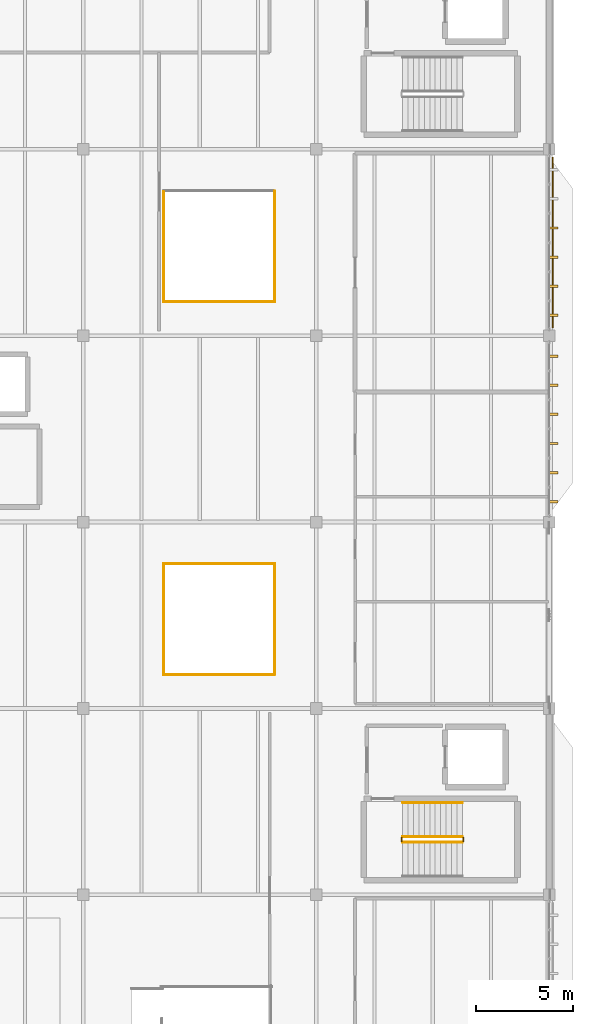
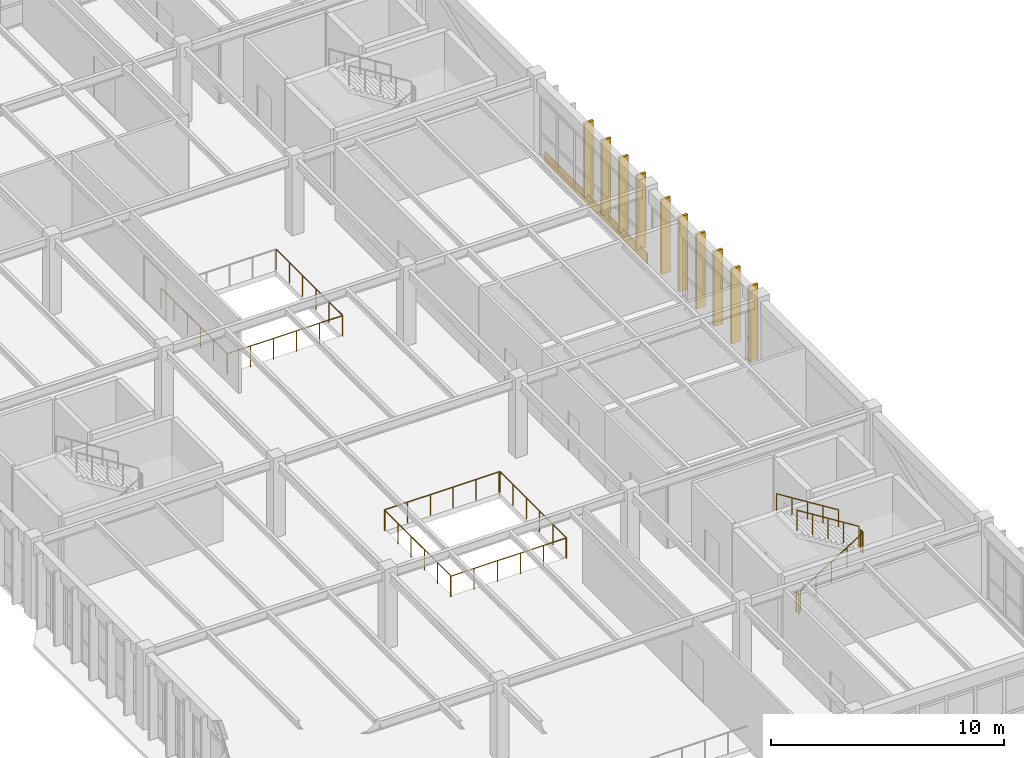
# One storey, part 80 of 83: 12 railings, 10 shading devices, 1 covering.
"""IFC4 building model written with IfcOpenShell, lengths in metres."""

from ifc_helpers import new_model, si_unit, direction, frame, origin, origin_2d, place, context, subcontext, project, spatial, rectangle, circle, extrude, material, layer, layer_set, type_object, element, save


model = new_model("IFC4")

# Units and contexts
model_context = context("Model", 3, precision=1e-05, world=origin(), true_north=direction((0.0, 1.0)))
body_context = subcontext(model_context, "Body", "Model", "MODEL_VIEW")
ifc_project = project(units=[si_unit("LENGTHUNIT", "METRE"), si_unit("AREAUNIT", "SQUARE_METRE"), si_unit("VOLUMEUNIT", "CUBIC_METRE"), si_unit("PLANEANGLEUNIT", "RADIAN"), si_unit("MASSUNIT", "GRAM", prefix="KILO")], contexts=[model_context])

# Site, building, storey
site_placement = place(None, origin())
site = spatial("IfcSite", under=ifc_project, at=site_placement, CompositionType="ELEMENT")
building_placement = place(site_placement, origin())
building = spatial("IfcBuilding", under=site, at=building_placement, Name="Pandanus Reach Market Hall", CompositionType="ELEMENT")
storey_placement = place(building_placement, frame((0.0, 0.0, 10.199951171875)))
storey = spatial("IfcBuildingStorey", under=building, at=storey_placement, Name="L02", CompositionType="ELEMENT", Elevation=10.199951171875)

# Covering
ifc_material_1 = material(Name="Precast concrete S50 (50 MPa)", Category="concrete")
ifc_layer = layer(ifc_material_1, 0.06005859375, Name="CLD-S50-60")
ifc_layer_set = layer_set([ifc_layer], Name="Precast concrete S50 (50 MPa)")
covering_type = type_object("IfcCoveringType", Name="CLD-S50-60", PredefinedType="CLADDING", material=ifc_layer_set)
covering_placement = place(storey_placement, frame((180.179931640625, 62.39990234375, -0.4248046875), z_axis=(0.0, 0.0, 1.0), x_axis=(0.0, 1.0, 0.0)))
element("IfcCovering", 1, at=covering_placement, inside=storey, type_object=covering_type, Name="Precast spandrel cladding panel 4", PredefinedType="CLADDING", context=body_context, shape_type="SweptSolid", body=[
    extrude(rectangle(XDim=8.800048828125, YDim=0.06005859375, at=origin_2d()), origin(), (0.0, 0.0, 1.0), 0.550048828125),
])

# Shading devices
shading_device_type = type_object("IfcShadingDeviceType", Name="FN-S50-450", PredefinedType="JALOUSIE", material=ifc_material_1)
for number, where, z_axis, x_axis, name in (
    (2, (180.219970703125, 49.050048828125, -0.010009765625), (0.0, 0.0, 1.0), (1.0, 0.0, 0.0), "Precast brise-soleil fin 450"),
    (3, (180.219970703125, 50.550048828125, -0.010009765625), (0.0, 0.0, 1.0), (1.0, 0.0, 0.0), "Precast brise-soleil fin 451"),
    (4, (180.219970703125, 52.050048828125, -0.010009765625), (0.0, 0.0, 1.0), (1.0, 0.0, 0.0), "Precast brise-soleil fin 452"),
    (5, (180.219970703125, 53.550048828125, -0.010009765625), (0.0, 0.0, 1.0), (1.0, 0.0, 0.0), "Precast brise-soleil fin 453"),
    (6, (180.219970703125, 55.050048828125, -0.010009765625), (0.0, 0.0, 1.0), (1.0, 0.0, 0.0), "Precast brise-soleil fin 454"),
    (7, (180.219970703125, 56.550048828125, -0.010009765625), (0.0, 0.0, 1.0), (1.0, 0.0, 0.0), "Precast brise-soleil fin 455"),
    (8, (180.219970703125, 58.64990234375, -0.010009765625), (0.0, 0.0, 1.0), (1.0, 0.0, 0.0), "Precast brise-soleil fin 456"),
    (9, (180.219970703125, 60.14990234375, -0.010009765625), (0.0, 0.0, 1.0), (1.0, 0.0, 0.0), "Precast brise-soleil fin 457"),
    (10, (180.219970703125, 61.64990234375, -0.010009765625), (0.0, 0.0, 1.0), (1.0, 0.0, 0.0), "Precast brise-soleil fin 458"),
    (11, (180.219970703125, 63.14990234375, -0.010009765625), (0.0, 0.0, 1.0), (1.0, 0.0, 0.0), "Precast brise-soleil fin 459"),
):
    element("IfcShadingDevice", number, at=place(storey_placement, frame(where, z_axis=z_axis, x_axis=x_axis)), inside=storey, type_object=shading_device_type, Name=name, PredefinedType="JALOUSIE", context=body_context, shape_type="SweptSolid", body=[
        extrude(rectangle(XDim=0.449951171875, YDim=0.1201171875, at=origin_2d()), origin(), (0.0, 0.0, 1.0), 3.919921875),
    ])

# Railings
ifc_material_2 = material(Name="Galvanised steel Grade 350 (350 MPa)", Category="steel")
railing_type_1 = type_object("IfcRailingType", Name="GR-INT-110", PredefinedType="GUARDRAIL", material=ifc_material_2)
railing_1_placement = place(storey_placement, frame((172.449951171875, 31.5, 0.175048828125)))
element("IfcRailing", 12, at=railing_1_placement, inside=storey, type_object=railing_type_1, Name="Stair guard ST-01 L02.19", PredefinedType="GUARDRAIL", context=body_context, shape_type="SweptSolid", body=[
    extrude(circle(Radius=0.02392578125, at=origin_2d()), frame((0.0, 0.0, 1.076171875), z_axis=(0.847998304005, 0.0, 0.529998940003), x_axis=(0.0, 1.0, 0.0)), (0.0, 0.0, 1.0), 3.632080078125),
    extrude(circle(Radius=0.02099609375, at=origin_2d()), origin(), (0.0, 0.0, 1.0), 1.052001953125),
    extrude(circle(Radius=0.02099609375, at=origin_2d()), frame((0.77001953125, 0.0, 0.481201171875)), (0.0, 0.0, 1.0), 1.052001953125),
    extrude(circle(Radius=0.02099609375, at=origin_2d()), frame((1.5400390625, 0.0, 0.96240234375)), (0.0, 0.0, 1.0), 1.052001953125),
    extrude(circle(Radius=0.02099609375, at=origin_2d()), frame((2.31005859375, 0.0, 1.44384765625)), (0.0, 0.0, 1.0), 1.052001953125),
    extrude(circle(Radius=0.02099609375, at=origin_2d()), frame((3.080078125, 0.0, 1.925048828125)), (0.0, 0.0, 1.0), 1.052001953125),
])
railing_2_placement = place(storey_placement, frame((175.580078125, 31.550048828125, 2.10009765625)))
element("IfcRailing", 13, at=railing_2_placement, inside=storey, type_object=railing_type_1, Name="Stair guard ST-01 L02.20", PredefinedType="GUARDRAIL", context=body_context, shape_type="SweptSolid", body=[
    extrude(circle(Radius=0.02392578125, at=origin_2d()), frame((0.0, 0.0, 1.076171875), z_axis=(0.0, 1.0, 0.0), x_axis=(-1.0, 0.0, 0.0)), (0.0, 0.0, 1.0), 0.199951171875),
    extrude(circle(Radius=0.02099609375, at=origin_2d()), origin(), (0.0, 0.0, 1.0), 1.052001953125),
    extrude(circle(Radius=0.02099609375, at=origin_2d()), frame((0.0, 0.199951171875, 0.0)), (0.0, 0.0, 1.0), 1.052001953125),
])
railing_3_placement = place(storey_placement, frame((175.530029296875, 31.800048828125, 2.275146484375)))
element("IfcRailing", 14, at=railing_3_placement, inside=storey, type_object=railing_type_1, Name="Stair guard ST-01 L02.21", PredefinedType="GUARDRAIL", context=body_context, shape_type="SweptSolid", body=[
    extrude(circle(Radius=0.02392578125, at=origin_2d()), frame((0.0, 0.0, 1.076171875), z_axis=(-0.848028513186, 0.0, 0.529950602248), x_axis=(0.0, -1.0, 0.0)), (0.0, 0.0, 1.0), 3.632080078125),
    extrude(circle(Radius=0.02099609375, at=origin_2d()), origin(), (0.0, 0.0, 1.0), 1.052001953125),
    extrude(circle(Radius=0.02099609375, at=origin_2d()), frame((-0.77001953125, 0.0, 0.481201171875)), (0.0, 0.0, 1.0), 1.052001953125),
    extrude(circle(Radius=0.02099609375, at=origin_2d()), frame((-1.5400390625, 0.0, 0.96240234375)), (0.0, 0.0, 1.0), 1.052001953125),
    extrude(circle(Radius=0.02099609375, at=origin_2d()), frame((-2.31005859375, 0.0, 1.443603515625)), (0.0, 0.0, 1.0), 1.052001953125),
    extrude(circle(Radius=0.02099609375, at=origin_2d()), frame((-3.080078125, 0.0, 1.9248046875)), (0.0, 0.0, 1.0), 1.052001953125),
])
railing_4_placement = place(storey_placement, frame((172.39990234375, 31.550048828125, 0.0)))
element("IfcRailing", 15, at=railing_4_placement, inside=storey, type_object=railing_type_1, Name="Stair guard ST-01 L02.22", PredefinedType="GUARDRAIL", context=body_context, shape_type="SweptSolid", body=[
    extrude(circle(Radius=0.02392578125, at=origin_2d()), frame((0.0, 0.0, 1.076171875), z_axis=(0.0, 1.0, 0.0), x_axis=(-1.0, 0.0, 0.0)), (0.0, 0.0, 1.0), 0.199951171875),
    extrude(circle(Radius=0.02099609375, at=origin_2d()), origin(), (0.0, 0.0, 1.0), 1.052001953125),
    extrude(circle(Radius=0.02099609375, at=origin_2d()), frame((0.0, 0.199951171875, 0.0)), (0.0, 0.0, 1.0), 1.052001953125),
])
railing_5_placement = place(storey_placement, frame((160.139892578125, 40.139892578125, 0.0)))
element("IfcRailing", 16, at=railing_5_placement, inside=storey, type_object=railing_type_1, Name="Atrium lightwell guard L02.233", PredefinedType="GUARDRAIL", context=body_context, shape_type="SweptSolid", body=[
    extrude(circle(Radius=0.02392578125, at=origin_2d()), frame((0.0, 0.0, 1.076171875), z_axis=(1.0, 0.0, 0.0), x_axis=(0.0, 1.0, 0.0)), (0.0, 0.0, 1.0), 5.72021484375),
    extrude(circle(Radius=0.02099609375, at=origin_2d()), origin(), (0.0, 0.0, 1.0), 1.052001953125),
    extrude(circle(Radius=0.02099609375, at=origin_2d()), frame((1.14404296875, 0.0, 0.0)), (0.0, 0.0, 1.0), 1.052001953125),
    extrude(circle(Radius=0.02099609375, at=origin_2d()), frame((2.2880859375, 0.0, 0.0)), (0.0, 0.0, 1.0), 1.052001953125),
    extrude(circle(Radius=0.02099609375, at=origin_2d()), frame((3.43212890625, 0.0, 0.0)), (0.0, 0.0, 1.0), 1.052001953125),
    extrude(circle(Radius=0.02099609375, at=origin_2d()), frame((4.576171875, 0.0, 0.0)), (0.0, 0.0, 1.0), 1.052001953125),
    extrude(circle(Radius=0.02099609375, at=origin_2d()), frame((5.72021484375, 0.0, 0.0)), (0.0, 0.0, 1.0), 1.052001953125),
])
railing_6_placement = place(storey_placement, frame((165.860107421875, 40.179931640625, 0.0)))
element("IfcRailing", 17, at=railing_6_placement, inside=storey, type_object=railing_type_1, Name="Atrium lightwell guard L02.234", PredefinedType="GUARDRAIL", context=body_context, shape_type="SweptSolid", body=[
    extrude(circle(Radius=0.02392578125, at=origin_2d()), frame((0.0, 0.0, 1.076171875), z_axis=(0.0, 1.0, 0.0), x_axis=(-1.0, 0.0, 0.0)), (0.0, 0.0, 1.0), 5.68017578125),
    extrude(circle(Radius=0.02099609375, at=origin_2d()), origin(), (0.0, 0.0, 1.0), 1.052001953125),
    extrude(circle(Radius=0.02099609375, at=origin_2d()), frame((0.0, 1.135986328125, 0.0)), (0.0, 0.0, 1.0), 1.052001953125),
    extrude(circle(Radius=0.02099609375, at=origin_2d()), frame((0.0, 2.27197265625, 0.0)), (0.0, 0.0, 1.0), 1.052001953125),
    extrude(circle(Radius=0.02099609375, at=origin_2d()), frame((0.0, 3.408203125, 0.0)), (0.0, 0.0, 1.0), 1.052001953125),
    extrude(circle(Radius=0.02099609375, at=origin_2d()), frame((0.0, 4.544189453125, 0.0)), (0.0, 0.0, 1.0), 1.052001953125),
    extrude(circle(Radius=0.02099609375, at=origin_2d()), frame((0.0, 5.68017578125, 0.0)), (0.0, 0.0, 1.0), 1.052001953125),
])
railing_7_placement = place(storey_placement, frame((165.820068359375, 45.860107421875, 0.0)))
element("IfcRailing", 18, at=railing_7_placement, inside=storey, type_object=railing_type_1, Name="Atrium lightwell guard L02.235", PredefinedType="GUARDRAIL", context=body_context, shape_type="SweptSolid", body=[
    extrude(circle(Radius=0.02392578125, at=origin_2d()), frame((0.0, 0.0, 1.076171875), z_axis=(-1.0, 0.0, 0.0), x_axis=(0.0, -1.0, 0.0)), (0.0, 0.0, 1.0), 5.68017578125),
    extrude(circle(Radius=0.02099609375, at=origin_2d()), origin(), (0.0, 0.0, 1.0), 1.052001953125),
    extrude(circle(Radius=0.02099609375, at=origin_2d()), frame((-1.135986328125, 0.0, 0.0)), (0.0, 0.0, 1.0), 1.052001953125),
    extrude(circle(Radius=0.02099609375, at=origin_2d()), frame((-2.27197265625, 0.0, 0.0)), (0.0, 0.0, 1.0), 1.052001953125),
    extrude(circle(Radius=0.02099609375, at=origin_2d()), frame((-3.408203125, 0.0, 0.0)), (0.0, 0.0, 1.0), 1.052001953125),
    extrude(circle(Radius=0.02099609375, at=origin_2d()), frame((-4.544189453125, 0.0, 0.0)), (0.0, 0.0, 1.0), 1.052001953125),
    extrude(circle(Radius=0.02099609375, at=origin_2d()), frame((-5.68017578125, 0.0, 0.0)), (0.0, 0.0, 1.0), 1.052001953125),
])
railing_8_placement = place(storey_placement, frame((160.139892578125, 45.820068359375, 0.0)))
element("IfcRailing", 19, at=railing_8_placement, inside=storey, type_object=railing_type_1, Name="Atrium lightwell guard L02.236", PredefinedType="GUARDRAIL", context=body_context, shape_type="SweptSolid", body=[
    extrude(circle(Radius=0.02392578125, at=origin_2d()), frame((0.0, 0.0, 1.076171875), z_axis=(0.0, -1.0, 0.0), x_axis=(1.0, 0.0, 0.0)), (0.0, 0.0, 1.0), 5.64013671875),
    extrude(circle(Radius=0.02099609375, at=origin_2d()), origin(), (0.0, 0.0, 1.0), 1.052001953125),
    extrude(circle(Radius=0.02099609375, at=origin_2d()), frame((0.0, -1.1279296875, 0.0)), (0.0, 0.0, 1.0), 1.052001953125),
    extrude(circle(Radius=0.02099609375, at=origin_2d()), frame((0.0, -2.256103515625, 0.0)), (0.0, 0.0, 1.0), 1.052001953125),
    extrude(circle(Radius=0.02099609375, at=origin_2d()), frame((0.0, -3.384033203125, 0.0)), (0.0, 0.0, 1.0), 1.052001953125),
    extrude(circle(Radius=0.02099609375, at=origin_2d()), frame((0.0, -4.51220703125, 0.0)), (0.0, 0.0, 1.0), 1.052001953125),
    extrude(circle(Radius=0.02099609375, at=origin_2d()), frame((0.0, -5.64013671875, 0.0)), (0.0, 0.0, 1.0), 1.052001953125),
])
railing_9_placement = place(storey_placement, frame((160.139892578125, 59.340087890625, 0.0)))
element("IfcRailing", 20, at=railing_9_placement, inside=storey, type_object=railing_type_1, Name="Atrium lightwell guard L02.237", PredefinedType="GUARDRAIL", context=body_context, shape_type="SweptSolid", body=[
    extrude(circle(Radius=0.02392578125, at=origin_2d()), frame((0.0, 0.0, 1.076171875), z_axis=(1.0, 0.0, 0.0), x_axis=(0.0, 1.0, 0.0)), (0.0, 0.0, 1.0), 5.72021484375),
    extrude(circle(Radius=0.02099609375, at=origin_2d()), origin(), (0.0, 0.0, 1.0), 1.052001953125),
    extrude(circle(Radius=0.02099609375, at=origin_2d()), frame((1.14404296875, 0.0, 0.0)), (0.0, 0.0, 1.0), 1.052001953125),
    extrude(circle(Radius=0.02099609375, at=origin_2d()), frame((2.2880859375, 0.0, 0.0)), (0.0, 0.0, 1.0), 1.052001953125),
    extrude(circle(Radius=0.02099609375, at=origin_2d()), frame((3.43212890625, 0.0, 0.0)), (0.0, 0.0, 1.0), 1.052001953125),
    extrude(circle(Radius=0.02099609375, at=origin_2d()), frame((4.576171875, 0.0, 0.0)), (0.0, 0.0, 1.0), 1.052001953125),
    extrude(circle(Radius=0.02099609375, at=origin_2d()), frame((5.72021484375, 0.0, 0.0)), (0.0, 0.0, 1.0), 1.052001953125),
])
railing_10_placement = place(storey_placement, frame((165.860107421875, 59.3798828125, 0.0)))
element("IfcRailing", 21, at=railing_10_placement, inside=storey, type_object=railing_type_1, Name="Atrium lightwell guard L02.238", PredefinedType="GUARDRAIL", context=body_context, shape_type="SweptSolid", body=[
    extrude(circle(Radius=0.02392578125, at=origin_2d()), frame((0.0, 0.0, 1.076171875), z_axis=(0.0, 1.0, 0.0), x_axis=(-1.0, 0.0, 0.0)), (0.0, 0.0, 1.0), 5.68017578125),
    extrude(circle(Radius=0.02099609375, at=origin_2d()), origin(), (0.0, 0.0, 1.0), 1.052001953125),
    extrude(circle(Radius=0.02099609375, at=origin_2d()), frame((0.0, 1.135986328125, 0.0)), (0.0, 0.0, 1.0), 1.052001953125),
    extrude(circle(Radius=0.02099609375, at=origin_2d()), frame((0.0, 2.27197265625, 0.0)), (0.0, 0.0, 1.0), 1.052001953125),
    extrude(circle(Radius=0.02099609375, at=origin_2d()), frame((0.0, 3.408203125, 0.0)), (0.0, 0.0, 1.0), 1.052001953125),
    extrude(circle(Radius=0.02099609375, at=origin_2d()), frame((0.0, 4.544189453125, 0.0)), (0.0, 0.0, 1.0), 1.052001953125),
    extrude(circle(Radius=0.02099609375, at=origin_2d()), frame((0.0, 5.68017578125, 0.0)), (0.0, 0.0, 1.0), 1.052001953125),
])
railing_11_placement = place(storey_placement, frame((160.139892578125, 65.02001953125, 0.0)))
element("IfcRailing", 22, at=railing_11_placement, inside=storey, type_object=railing_type_1, Name="Atrium lightwell guard L02.240", PredefinedType="GUARDRAIL", context=body_context, shape_type="SweptSolid", body=[
    extrude(circle(Radius=0.02392578125, at=origin_2d()), frame((0.0, 0.0, 1.076171875), z_axis=(0.0, -1.0, 0.0), x_axis=(1.0, 0.0, 0.0)), (0.0, 0.0, 1.0), 5.64013671875),
    extrude(circle(Radius=0.02099609375, at=origin_2d()), origin(), (0.0, 0.0, 1.0), 1.052001953125),
    extrude(circle(Radius=0.02099609375, at=origin_2d()), frame((0.0, -1.1279296875, 0.0)), (0.0, 0.0, 1.0), 1.052001953125),
    extrude(circle(Radius=0.02099609375, at=origin_2d()), frame((0.0, -2.256103515625, 0.0)), (0.0, 0.0, 1.0), 1.052001953125),
    extrude(circle(Radius=0.02099609375, at=origin_2d()), frame((0.0, -3.384033203125, 0.0)), (0.0, 0.0, 1.0), 1.052001953125),
    extrude(circle(Radius=0.02099609375, at=origin_2d()), frame((0.0, -4.51220703125, 0.0)), (0.0, 0.0, 1.0), 1.052001953125),
    extrude(circle(Radius=0.02099609375, at=origin_2d()), frame((0.0, -5.64013671875, 0.0)), (0.0, 0.0, 1.0), 1.052001953125),
])
ifc_material_3 = material(Name="Brushed stainless steel", Category="steel")
railing_type_2 = type_object("IfcRailingType", Name="HR-WAL-090", PredefinedType="HANDRAIL", material=ifc_material_3)
railing_12_placement = place(storey_placement, frame((175.530029296875, 33.550048828125, 2.275146484375)))
element("IfcRailing", 23, at=railing_12_placement, inside=storey, type_object=railing_type_2, Name="Stair handrail ST-01 L02.24", PredefinedType="HANDRAIL", context=body_context, shape_type="SweptSolid", body=[
    extrude(circle(Radius=0.02392578125, at=origin_2d()), frame((0.0, 0.0, 0.8759765625), z_axis=(-0.848028513186, 0.0, 0.529950602248), x_axis=(0.0, -1.0, 0.0)), (0.0, 0.0, 1.0), 3.632080078125),
    extrude(circle(Radius=0.02099609375, at=origin_2d()), origin(), (0.0, 0.0, 1.0), 0.851806640625),
    extrude(circle(Radius=0.02099609375, at=origin_2d()), frame((-0.77001953125, 0.0, 0.481201171875)), (0.0, 0.0, 1.0), 0.851806640625),
    extrude(circle(Radius=0.02099609375, at=origin_2d()), frame((-1.5400390625, 0.0, 0.96240234375)), (0.0, 0.0, 1.0), 0.851806640625),
    extrude(circle(Radius=0.02099609375, at=origin_2d()), frame((-2.31005859375, 0.0, 1.443603515625)), (0.0, 0.0, 1.0), 0.851806640625),
    extrude(circle(Radius=0.02099609375, at=origin_2d()), frame((-3.080078125, 0.0, 1.9248046875)), (0.0, 0.0, 1.0), 0.851806640625),
])

save(model, "model.ifc")
